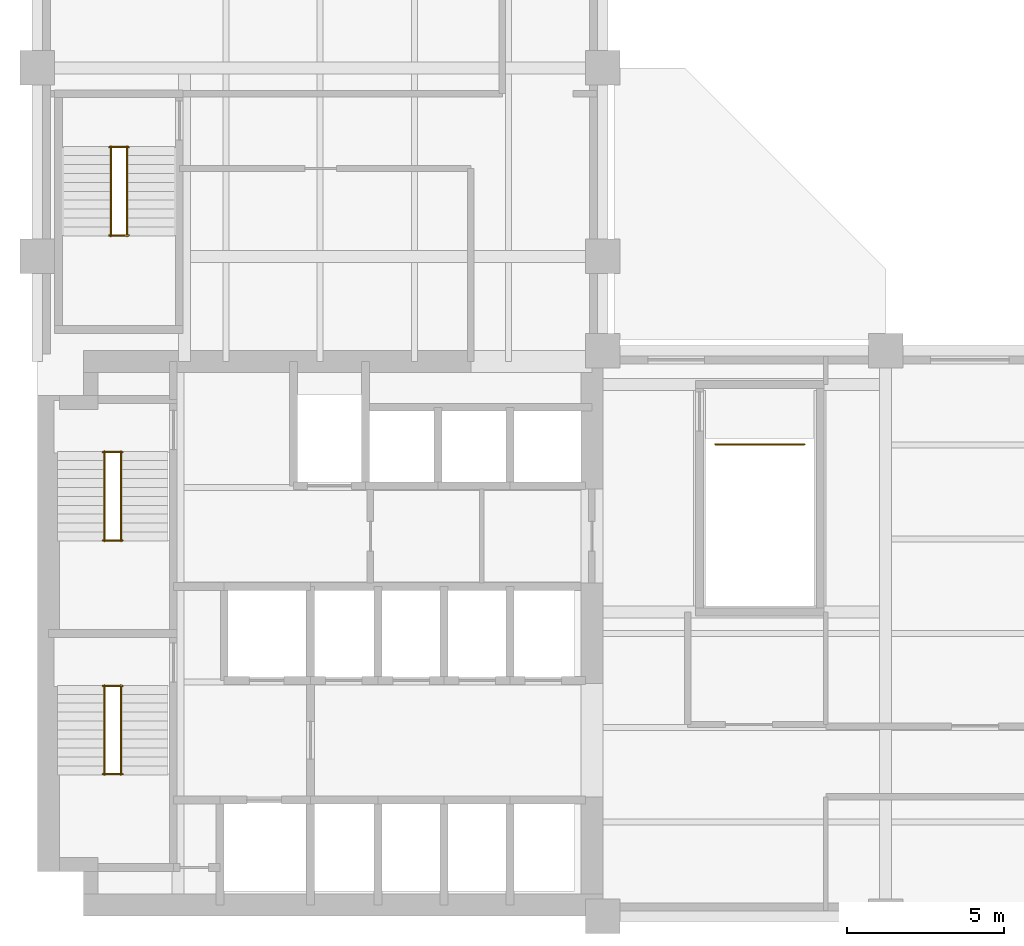
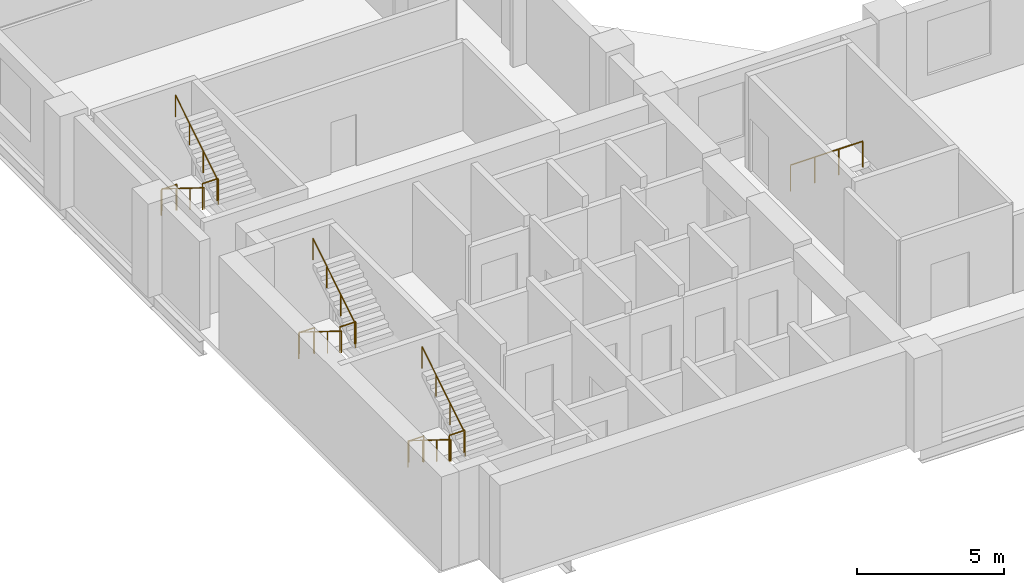
# One storey, part 7 of 7: 13 railings.
"""IFC4 building model written with IfcOpenShell, lengths in metres."""

from ifc_helpers import new_model, si_unit, direction, frame, origin, origin_2d, place, context, subcontext, project, spatial, circle, extrude, material, type_object, element, save


model = new_model("IFC4")

# Units and contexts
model_context = context("Model", 3, precision=1e-05, world=origin(), true_north=direction((0.0, 1.0)))
body_context = subcontext(model_context, "Body", "Model", "MODEL_VIEW")
ifc_project = project(units=[si_unit("LENGTHUNIT", "METRE"), si_unit("AREAUNIT", "SQUARE_METRE"), si_unit("VOLUMEUNIT", "CUBIC_METRE"), si_unit("PLANEANGLEUNIT", "RADIAN"), si_unit("MASSUNIT", "GRAM", prefix="KILO")], contexts=[model_context])

# Site, building, storey
site_placement = place(None, origin())
site = spatial("IfcSite", under=ifc_project, at=site_placement, CompositionType="ELEMENT")
building_placement = place(site_placement, origin())
building = spatial("IfcBuilding", under=site, at=building_placement, Name="Mawjdan Bourse Tower", CompositionType="ELEMENT")
storey_placement = place(building_placement, frame((0.0, 0.0, 93.300048828125)))
storey = spatial("IfcBuildingStorey", under=building, at=storey_placement, Name="L21", CompositionType="ELEMENT", Elevation=93.300048828125)

# Railings
ifc_material_1 = material(Name="Structural Steel S355", Category="steel")
railing_type_1 = type_object("IfcRailingType", Name="RLG-GRD-1100", PredefinedType="GUARDRAIL", material=ifc_material_1)
for number, where, name in (
    (1, (8.090087890625, 7.52001953125, 1.949951171875), "L21 ST1 Landing Guardrail GL-MID"),
    (2, (8.090087890625, 10.330078125, 0.0), "L21 ST1 Landing Guardrail GL-BOT"),
    (3, (8.090087890625, 14.9599609375, 1.949951171875), "L21 ST2 Landing Guardrail GL-MID"),
    (4, (8.090087890625, 17.77001953125, 0.0), "L21 ST2 Landing Guardrail GL-BOT"),
    (5, (8.2900390625, 24.669921875, 1.949951171875), "L21 ST3 Landing Guardrail GL-MID"),
    (6, (8.2900390625, 27.47998046875, 0.0), "L21 ST3 Landing Guardrail GL-BOT"),
):
    element("IfcRailing", number, at=place(storey_placement, frame(where)), inside=storey, type_object=railing_type_1, Name=name, PredefinedType="GUARDRAIL", context=body_context, shape_type="SweptSolid", body=[
        extrude(circle(Radius=0.02490234375, at=origin_2d()), frame((0.0, 0.0, 1.0751953125), z_axis=(1.0, 0.0, 0.0), x_axis=(0.0, 1.0, 0.0)), (0.0, 0.0, 1.0), 0.619873046875),
        extrude(circle(Radius=0.02099609375, at=origin_2d()), origin(), (0.0, 0.0, 1.0), 1.050048828125),
        extrude(circle(Radius=0.02099609375, at=origin_2d()), frame((0.619873046875, 0.0, 0.0)), (0.0, 0.0, 1.0), 1.050048828125),
    ])
railing_1_placement = place(storey_placement, frame((27.580078125, 18.02001953125, 0.0)))
element("IfcRailing", 7, at=railing_1_placement, inside=storey, type_object=railing_type_1, Name="L21 ST5A Top Well Guardrail", PredefinedType="GUARDRAIL", context=body_context, shape_type="SweptSolid", body=[
    extrude(circle(Radius=0.02490234375, at=origin_2d()), frame((0.0, 0.0, 1.0751953125), z_axis=(1.0, 0.0, 0.0), x_axis=(0.0, 1.0, 0.0)), (0.0, 0.0, 1.0), 2.83984375),
    extrude(circle(Radius=0.02099609375, at=origin_2d()), origin(), (0.0, 0.0, 1.0), 1.050048828125),
    extrude(circle(Radius=0.02099609375, at=origin_2d()), frame((0.946533203125, 0.0, 0.0)), (0.0, 0.0, 1.0), 1.050048828125),
    extrude(circle(Radius=0.02099609375, at=origin_2d()), frame((1.893310546875, 0.0, 0.0)), (0.0, 0.0, 1.0), 1.050048828125),
    extrude(circle(Radius=0.02099609375, at=origin_2d()), frame((2.83984375, 0.0, 0.0)), (0.0, 0.0, 1.0), 1.050048828125),
])
ifc_material_2 = material(Name="Brushed Stainless Steel", Category="steel")
railing_type_2 = type_object("IfcRailingType", Name="RLG-HND-920", PredefinedType="HANDRAIL", material=ifc_material_2)
railing_2_placement = place(storey_placement, frame((8.139892578125, 10.35009765625, 0.17724609375)))
element("IfcRailing", 8, at=railing_2_placement, inside=storey, type_object=railing_type_2, Name="L21 ST1 Flight Handrail HR1", PredefinedType="HANDRAIL", context=body_context, shape_type="SweptSolid", body=[
    extrude(circle(Radius=0.0224609375, at=origin_2d()), frame((0.0, 0.0, 0.8974609375), z_axis=(0.0, -0.849148672731, 0.528153890072), x_axis=(1.0, 0.0, 0.0)), (0.0, 0.0, 1.0), 3.3564453125),
    extrude(circle(Radius=0.01904296875, at=origin_2d()), origin(), (0.0, 0.0, 1.0), 0.875),
    extrude(circle(Radius=0.01904296875, at=origin_2d()), frame((0.0, -0.949951171875, 0.5908203125)), (0.0, 0.0, 1.0), 0.875),
    extrude(circle(Radius=0.01904296875, at=origin_2d()), frame((0.0, -1.900146484375, 1.181884765625)), (0.0, 0.0, 1.0), 0.875),
    extrude(circle(Radius=0.01904296875, at=origin_2d()), frame((0.0, -2.85009765625, 1.772705078125)), (0.0, 0.0, 1.0), 0.875),
])
railing_3_placement = place(storey_placement, frame((8.659912109375, 7.5, 2.127197265625)))
element("IfcRailing", 9, at=railing_3_placement, inside=storey, type_object=railing_type_2, Name="L21 ST1 Flight Handrail HR2", PredefinedType="HANDRAIL", context=body_context, shape_type="SweptSolid", body=[
    extrude(circle(Radius=0.0224609375, at=origin_2d()), frame((0.0, 0.0, 0.8974609375), z_axis=(0.0, 0.849148672731, 0.528153890072), x_axis=(-1.0, 0.0, 0.0)), (0.0, 0.0, 1.0), 3.3564453125),
    extrude(circle(Radius=0.01904296875, at=origin_2d()), origin(), (0.0, 0.0, 1.0), 0.875),
    extrude(circle(Radius=0.01904296875, at=origin_2d()), frame((0.0, 0.949951171875, 0.5908203125)), (0.0, 0.0, 1.0), 0.875),
    extrude(circle(Radius=0.01904296875, at=origin_2d()), frame((0.0, 1.900146484375, 1.181884765625)), (0.0, 0.0, 1.0), 0.875),
    extrude(circle(Radius=0.01904296875, at=origin_2d()), frame((0.0, 2.85009765625, 1.772705078125)), (0.0, 0.0, 1.0), 0.875),
])
railing_4_placement = place(storey_placement, frame((8.139892578125, 17.7900390625, 0.17724609375)))
element("IfcRailing", 10, at=railing_4_placement, inside=storey, type_object=railing_type_2, Name="L21 ST2 Flight Handrail HR1", PredefinedType="HANDRAIL", context=body_context, shape_type="SweptSolid", body=[
    extrude(circle(Radius=0.0224609375, at=origin_2d()), frame((0.0, 0.0, 0.8974609375), z_axis=(0.0, -0.849148672731, 0.528153890072), x_axis=(1.0, 0.0, 0.0)), (0.0, 0.0, 1.0), 3.3564453125),
    extrude(circle(Radius=0.01904296875, at=origin_2d()), origin(), (0.0, 0.0, 1.0), 0.875),
    extrude(circle(Radius=0.01904296875, at=origin_2d()), frame((0.0, -0.949951171875, 0.5908203125)), (0.0, 0.0, 1.0), 0.875),
    extrude(circle(Radius=0.01904296875, at=origin_2d()), frame((0.0, -1.900146484375, 1.181884765625)), (0.0, 0.0, 1.0), 0.875),
    extrude(circle(Radius=0.01904296875, at=origin_2d()), frame((0.0, -2.85009765625, 1.772705078125)), (0.0, 0.0, 1.0), 0.875),
])
railing_5_placement = place(storey_placement, frame((8.659912109375, 14.93994140625, 2.127197265625)))
element("IfcRailing", 11, at=railing_5_placement, inside=storey, type_object=railing_type_2, Name="L21 ST2 Flight Handrail HR2", PredefinedType="HANDRAIL", context=body_context, shape_type="SweptSolid", body=[
    extrude(circle(Radius=0.0224609375, at=origin_2d()), frame((0.0, 0.0, 0.8974609375), z_axis=(0.0, 0.849148672731, 0.528153890072), x_axis=(-1.0, 0.0, 0.0)), (0.0, 0.0, 1.0), 3.3564453125),
    extrude(circle(Radius=0.01904296875, at=origin_2d()), origin(), (0.0, 0.0, 1.0), 0.875),
    extrude(circle(Radius=0.01904296875, at=origin_2d()), frame((0.0, 0.949951171875, 0.5908203125)), (0.0, 0.0, 1.0), 0.875),
    extrude(circle(Radius=0.01904296875, at=origin_2d()), frame((0.0, 1.900146484375, 1.181884765625)), (0.0, 0.0, 1.0), 0.875),
    extrude(circle(Radius=0.01904296875, at=origin_2d()), frame((0.0, 2.85009765625, 1.772705078125)), (0.0, 0.0, 1.0), 0.875),
])
railing_6_placement = place(storey_placement, frame((8.340087890625, 27.5, 0.17724609375)))
element("IfcRailing", 12, at=railing_6_placement, inside=storey, type_object=railing_type_2, Name="L21 ST3 Flight Handrail HR1", PredefinedType="HANDRAIL", context=body_context, shape_type="SweptSolid", body=[
    extrude(circle(Radius=0.0224609375, at=origin_2d()), frame((0.0, 0.0, 0.8974609375), z_axis=(0.0, -0.849148672731, 0.528153890072), x_axis=(1.0, 0.0, 0.0)), (0.0, 0.0, 1.0), 3.3564453125),
    extrude(circle(Radius=0.01904296875, at=origin_2d()), origin(), (0.0, 0.0, 1.0), 0.875),
    extrude(circle(Radius=0.01904296875, at=origin_2d()), frame((0.0, -0.949951171875, 0.5908203125)), (0.0, 0.0, 1.0), 0.875),
    extrude(circle(Radius=0.01904296875, at=origin_2d()), frame((0.0, -1.900146484375, 1.181884765625)), (0.0, 0.0, 1.0), 0.875),
    extrude(circle(Radius=0.01904296875, at=origin_2d()), frame((0.0, -2.85009765625, 1.772705078125)), (0.0, 0.0, 1.0), 0.875),
])
railing_7_placement = place(storey_placement, frame((8.860107421875, 24.64990234375, 2.127197265625)))
element("IfcRailing", 13, at=railing_7_placement, inside=storey, type_object=railing_type_2, Name="L21 ST3 Flight Handrail HR2", PredefinedType="HANDRAIL", context=body_context, shape_type="SweptSolid", body=[
    extrude(circle(Radius=0.0224609375, at=origin_2d()), frame((0.0, 0.0, 0.8974609375), z_axis=(0.0, 0.849148672731, 0.528153890072), x_axis=(-1.0, 0.0, 0.0)), (0.0, 0.0, 1.0), 3.3564453125),
    extrude(circle(Radius=0.01904296875, at=origin_2d()), origin(), (0.0, 0.0, 1.0), 0.875),
    extrude(circle(Radius=0.01904296875, at=origin_2d()), frame((0.0, 0.949951171875, 0.5908203125)), (0.0, 0.0, 1.0), 0.875),
    extrude(circle(Radius=0.01904296875, at=origin_2d()), frame((0.0, 1.900146484375, 1.181884765625)), (0.0, 0.0, 1.0), 0.875),
    extrude(circle(Radius=0.01904296875, at=origin_2d()), frame((0.0, 2.85009765625, 1.772705078125)), (0.0, 0.0, 1.0), 0.875),
])

save(model, "model.ifc")
